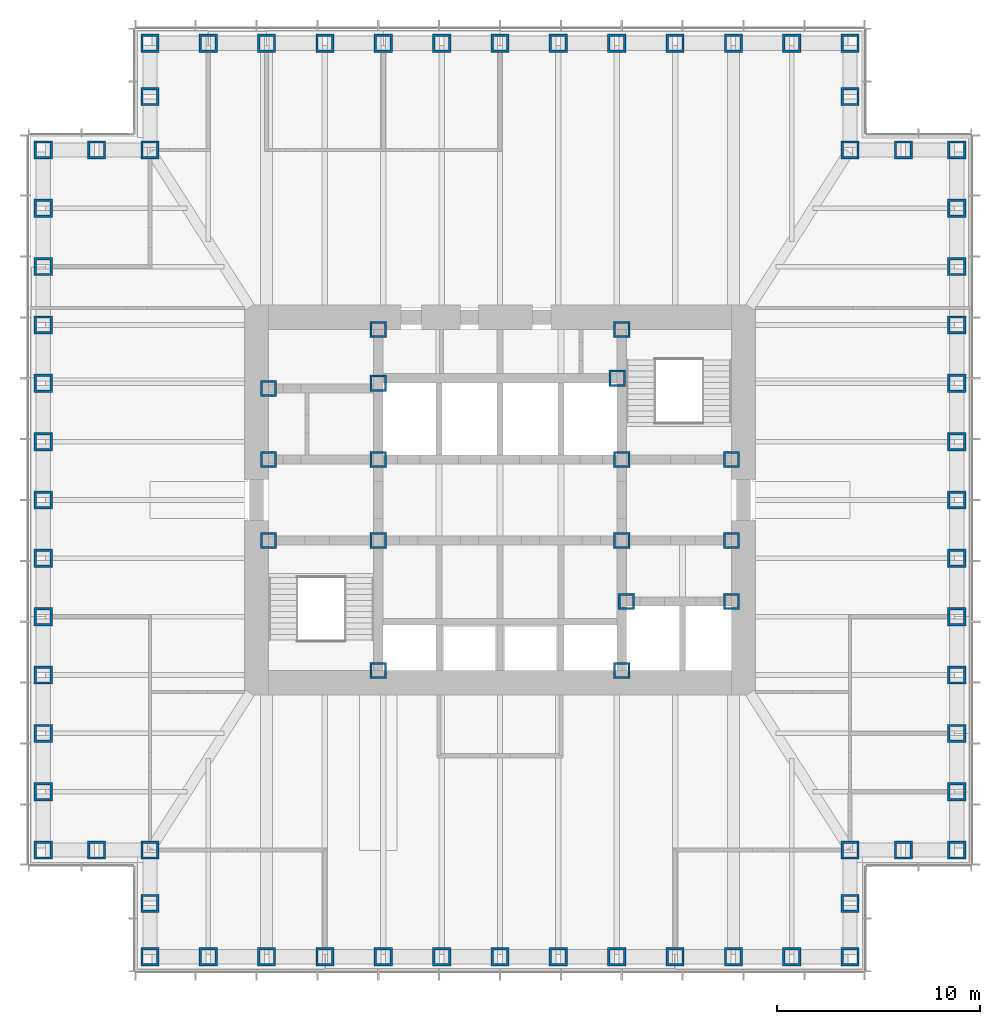
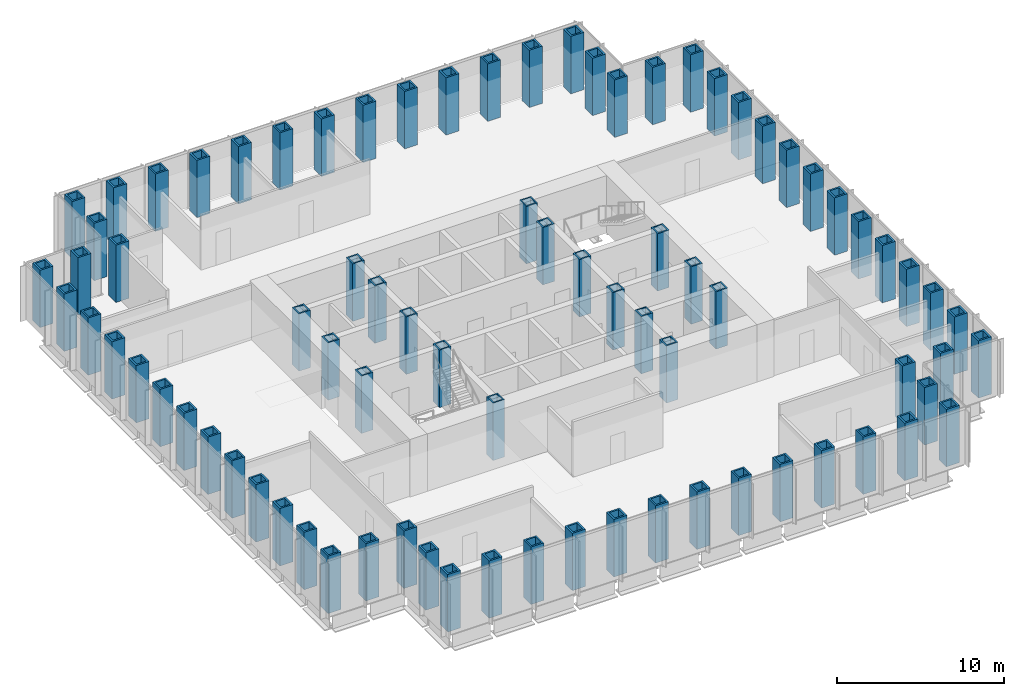
# One storey, part 1 of 16: 81 columns.
"""IFC4 building model written with IfcOpenShell, lengths in metres."""

from ifc_helpers import new_model, si_unit, direction, frame, origin, origin_2d, place, context, subcontext, project, spatial, hollow_rectangle, extrude, material, material_profile, profile_set, type_object, element, save


model = new_model("IFC4")

# Units and contexts
model_context = context("Model", 3, precision=1e-05, world=origin(), true_north=direction((0.0, 1.0)))
body_context = subcontext(model_context, "Body", "Model", "MODEL_VIEW")
ifc_project = project(units=[si_unit("LENGTHUNIT", "METRE"), si_unit("AREAUNIT", "SQUARE_METRE"), si_unit("VOLUMEUNIT", "CUBIC_METRE"), si_unit("PLANEANGLEUNIT", "RADIAN"), si_unit("MASSUNIT", "GRAM", prefix="KILO")], contexts=[model_context])

# Site, building, storey
site_placement = place(None, origin())
site = spatial("IfcSite", under=ifc_project, at=site_placement, CompositionType="ELEMENT")
building_placement = place(site_placement, origin())
building = spatial("IfcBuilding", under=site, at=building_placement, Name="Daluyong Arena Tower", CompositionType="ELEMENT")
storey_placement = place(building_placement, frame((0.0, 0.0, 141.699951171875)))
storey = spatial("IfcBuildingStorey", under=building, at=storey_placement, Name="L31", CompositionType="ELEMENT", Elevation=141.699951171875)

# Columns
ifc_material_1 = material(Name="Steel ASTM A572 Grade 50", Category="steel")
ifc_material_profile_1 = material_profile(ifc_material_1, hollow_rectangle(XDim=0.800048828125, YDim=0.800048828125, WallThickness=0.1, at=origin_2d()))
ifc_profile_set_1 = profile_set([ifc_material_profile_1], Name="Steel ASTM A572 Grade 50")
column_type_1 = type_object("IfcColumnType", Name="Core boundary column BX800X100", PredefinedType="COLUMN", material=ifc_profile_set_1)
for number, where, z_axis, x_axis, name in (
    (1, (44.60009765625, 78.0, 0.0), (0.0, 0.0, 1.0), (1.0, 0.0, 0.0), "core boundary column BC2"),
    (2, (44.60009765625, 82.0, 0.0), (0.0, 0.0, 1.0), (1.0, 0.0, 0.0), "core boundary column BC2"),
    (3, (44.60009765625, 85.5, 0.0), (0.0, 0.0, 1.0), (1.0, 0.0, 0.0), "core boundary column BC2"),
    (4, (50.0, 71.60009765625, 0.0), (0.0, 0.0, 1.0), (1.0, 0.0, 0.0), "core boundary column BC2"),
    (5, (50.0, 78.0, 0.0), (0.0, 0.0, 1.0), (1.0, 0.0, 0.0), "core boundary column BC2"),
    (6, (50.0, 82.0, 0.0), (0.0, 0.0, 1.0), (1.0, 0.0, 0.0), "core boundary column BC2"),
    (7, (50.0, 85.75, 0.0), (0.0, 0.0, 1.0), (1.0, 0.0, 0.0), "core boundary column BC2"),
    (8, (50.0, 88.39990234375, 0.0), (0.0, 0.0, 1.0), (1.0, 0.0, 0.0), "core boundary column BC2"),
    (9, (61.77490234375, 86.0, 0.0), (0.0, 0.0, 1.0), (1.0, 0.0, 0.0), "core boundary column BC2"),
    (10, (62.0, 71.60009765625, 0.0), (0.0, 0.0, 1.0), (1.0, 0.0, 0.0), "core boundary column BC2"),
    (11, (62.0, 78.0, 0.0), (0.0, 0.0, 1.0), (1.0, 0.0, 0.0), "core boundary column BC2"),
    (12, (62.0, 82.0, 0.0), (0.0, 0.0, 1.0), (1.0, 0.0, 0.0), "core boundary column BC2"),
    (13, (62.0, 88.39990234375, 0.0), (0.0, 0.0, 1.0), (1.0, 0.0, 0.0), "core boundary column BC2"),
    (14, (62.22509765625, 75.0, 0.0), (0.0, 0.0, 1.0), (1.0, 0.0, 0.0), "core boundary column BC2"),
    (15, (67.39990234375, 75.0, 0.0), (0.0, 0.0, 1.0), (1.0, 0.0, 0.0), "core boundary column BC2"),
    (16, (67.39990234375, 78.0, 0.0), (0.0, 0.0, 1.0), (1.0, 0.0, 0.0), "core boundary column BC2"),
    (17, (67.39990234375, 82.0, 0.0), (0.0, 0.0, 1.0), (1.0, 0.0, 0.0), "core boundary column BC2"),
):
    element("IfcColumn", number, at=place(storey_placement, frame(where, z_axis=z_axis, x_axis=x_axis)), inside=storey, type_object=column_type_1, Name=name, PredefinedType="COLUMN", context=body_context, shape_type="SweptSolid", body=[
        extrude(hollow_rectangle(XDim=0.800048828125, YDim=0.800048828125, WallThickness=0.1, at=origin_2d()), origin(), (0.0, 0.0, 1.0), 4.199951171875),
    ])
ifc_material_2 = material(Name="Steel ASTM A588 Grade 50", Category="steel")
ifc_material_profile_2 = material_profile(ifc_material_2, hollow_rectangle(XDim=0.89990234375, YDim=0.89990234375, WallThickness=0.12, at=origin_2d()))
ifc_profile_set_2 = profile_set([ifc_material_profile_2], Name="Steel ASTM A588 Grade 50")
column_type_2 = type_object("IfcColumnType", Name="Tube column BX900X120 BX900X120", PredefinedType="COLUMN", material=ifc_profile_set_2)
for number, where, z_axis, x_axis, name in (
    (18, (38.75, 57.5, 0.0), (0.0, 0.0, 1.0), (1.0, 0.0, 0.0), "tube column bx900x120 TC4"),
    (19, (41.625, 57.5, 0.0), (0.0, 0.0, 1.0), (1.0, 0.0, 0.0), "tube column bx900x120 TC4"),
    (20, (44.5, 57.5, 0.0), (0.0, 0.0, 1.0), (1.0, 0.0, 0.0), "tube column bx900x120 TC4"),
    (21, (47.375, 57.5, 0.0), (0.0, 0.0, 1.0), (1.0, 0.0, 0.0), "tube column bx900x120 TC4"),
    (22, (50.25, 57.5, 0.0), (0.0, 0.0, 1.0), (1.0, 0.0, 0.0), "tube column bx900x120 TC4"),
    (23, (53.125, 57.5, 0.0), (0.0, 0.0, 1.0), (1.0, 0.0, 0.0), "tube column bx900x120 TC4"),
    (24, (56.0, 57.5, 0.0), (0.0, 0.0, 1.0), (1.0, 0.0, 0.0), "tube column bx900x120 TC4"),
    (25, (58.875, 57.5, 0.0), (0.0, 0.0, 1.0), (1.0, 0.0, 0.0), "tube column bx900x120 TC4"),
    (26, (61.75, 57.5, 0.0), (0.0, 0.0, 1.0), (1.0, 0.0, 0.0), "tube column bx900x120 TC4"),
    (27, (64.625, 57.5, 0.0), (0.0, 0.0, 1.0), (1.0, 0.0, 0.0), "tube column bx900x120 TC4"),
    (28, (67.5, 57.5, 0.0), (0.0, 0.0, 1.0), (1.0, 0.0, 0.0), "tube column bx900x120 TC4"),
    (29, (70.375, 57.5, 0.0), (0.0, 0.0, 1.0), (1.0, 0.0, 0.0), "tube column bx900x120 TC4"),
    (30, (73.25, 57.5, 0.0), (0.0, 0.0, 1.0), (0.0, 1.0, 0.0), "tube column bx900x120 TC4"),
    (31, (73.25, 60.125, 0.0), (0.0, 0.0, 1.0), (0.0, 1.0, 0.0), "tube column bx900x120 TC4"),
    (32, (73.25, 62.75, 0.0), (0.0, 0.0, 1.0), (1.0, 0.0, 0.0), "tube column bx900x120 TC4"),
    (33, (75.875, 62.75, 0.0), (0.0, 0.0, 1.0), (1.0, 0.0, 0.0), "tube column bx900x120 TC4"),
    (34, (78.5, 62.75, 0.0), (0.0, 0.0, 1.0), (0.0, 1.0, 0.0), "tube column bx900x120 TC4"),
    (35, (78.5, 65.625, 0.0), (0.0, 0.0, 1.0), (0.0, 1.0, 0.0), "tube column bx900x120 TC4"),
    (36, (78.5, 68.5, 0.0), (0.0, 0.0, 1.0), (0.0, 1.0, 0.0), "tube column bx900x120 TC4"),
    (37, (78.5, 71.375, 0.0), (0.0, 0.0, 1.0), (0.0, 1.0, 0.0), "tube column bx900x120 TC4"),
    (38, (78.5, 74.25, 0.0), (0.0, 0.0, 1.0), (0.0, 1.0, 0.0), "tube column bx900x120 TC4"),
    (39, (78.5, 77.125, 0.0), (0.0, 0.0, 1.0), (0.0, 1.0, 0.0), "tube column bx900x120 TC4"),
    (40, (78.5, 80.0, 0.0), (0.0, 0.0, 1.0), (0.0, 1.0, 0.0), "tube column bx900x120 TC4"),
    (41, (78.5, 82.875, 0.0), (0.0, 0.0, 1.0), (0.0, 1.0, 0.0), "tube column bx900x120 TC4"),
    (42, (78.5, 85.75, 0.0), (0.0, 0.0, 1.0), (0.0, 1.0, 0.0), "tube column bx900x120 TC4"),
    (43, (78.5, 88.625, 0.0), (0.0, 0.0, 1.0), (0.0, 1.0, 0.0), "tube column bx900x120 TC4"),
    (44, (78.5, 91.5, 0.0), (0.0, 0.0, 1.0), (0.0, 1.0, 0.0), "tube column bx900x120 TC4"),
    (45, (78.5, 94.375, 0.0), (0.0, 0.0, 1.0), (0.0, 1.0, 0.0), "tube column bx900x120 TC4"),
    (46, (78.5, 97.25, 0.0), (0.0, 0.0, 1.0), (1.0, 0.0, 0.0), "tube column bx900x120 TC4"),
    (47, (75.875, 97.25, 0.0), (0.0, 0.0, 1.0), (1.0, 0.0, 0.0), "tube column bx900x120 TC4"),
    (48, (73.25, 97.25, 0.0), (0.0, 0.0, 1.0), (0.0, 1.0, 0.0), "tube column bx900x120 TC4"),
    (49, (73.25, 99.875, 0.0), (0.0, 0.0, 1.0), (0.0, 1.0, 0.0), "tube column bx900x120 TC4"),
    (50, (73.25, 102.5, 0.0), (0.0, 0.0, 1.0), (1.0, 0.0, 0.0), "tube column bx900x120 TC4"),
    (51, (70.375, 102.5, 0.0), (0.0, 0.0, 1.0), (1.0, 0.0, 0.0), "tube column bx900x120 TC4"),
    (52, (67.5, 102.5, 0.0), (0.0, 0.0, 1.0), (1.0, 0.0, 0.0), "tube column bx900x120 TC4"),
    (53, (64.625, 102.5, 0.0), (0.0, 0.0, 1.0), (1.0, 0.0, 0.0), "tube column bx900x120 TC4"),
    (54, (61.75, 102.5, 0.0), (0.0, 0.0, 1.0), (1.0, 0.0, 0.0), "tube column bx900x120 TC4"),
    (55, (58.875, 102.5, 0.0), (0.0, 0.0, 1.0), (1.0, 0.0, 0.0), "tube column bx900x120 TC4"),
    (56, (56.0, 102.5, 0.0), (0.0, 0.0, 1.0), (1.0, 0.0, 0.0), "tube column bx900x120 TC4"),
    (57, (53.125, 102.5, 0.0), (0.0, 0.0, 1.0), (1.0, 0.0, 0.0), "tube column bx900x120 TC4"),
    (58, (50.25, 102.5, 0.0), (0.0, 0.0, 1.0), (1.0, 0.0, 0.0), "tube column bx900x120 TC4"),
    (59, (47.375, 102.5, 0.0), (0.0, 0.0, 1.0), (1.0, 0.0, 0.0), "tube column bx900x120 TC4"),
    (60, (44.5, 102.5, 0.0), (0.0, 0.0, 1.0), (1.0, 0.0, 0.0), "tube column bx900x120 TC4"),
    (61, (41.625, 102.5, 0.0), (0.0, 0.0, 1.0), (1.0, 0.0, 0.0), "tube column bx900x120 TC4"),
    (62, (38.75, 102.5, 0.0), (0.0, 0.0, 1.0), (0.0, 1.0, 0.0), "tube column bx900x120 TC4"),
    (63, (38.75, 99.875, 0.0), (0.0, 0.0, 1.0), (0.0, 1.0, 0.0), "tube column bx900x120 TC4"),
    (64, (38.75, 97.25, 0.0), (0.0, 0.0, 1.0), (1.0, 0.0, 0.0), "tube column bx900x120 TC4"),
    (65, (36.125, 97.25, 0.0), (0.0, 0.0, 1.0), (1.0, 0.0, 0.0), "tube column bx900x120 TC4"),
    (66, (33.5, 97.25, 0.0), (0.0, 0.0, 1.0), (0.0, 1.0, 0.0), "tube column bx900x120 TC4"),
    (67, (33.5, 94.375, 0.0), (0.0, 0.0, 1.0), (0.0, 1.0, 0.0), "tube column bx900x120 TC4"),
    (68, (33.5, 91.5, 0.0), (0.0, 0.0, 1.0), (0.0, 1.0, 0.0), "tube column bx900x120 TC4"),
    (69, (33.5, 88.625, 0.0), (0.0, 0.0, 1.0), (0.0, 1.0, 0.0), "tube column bx900x120 TC4"),
    (70, (33.5, 85.75, 0.0), (0.0, 0.0, 1.0), (0.0, 1.0, 0.0), "tube column bx900x120 TC4"),
    (71, (33.5, 82.875, 0.0), (0.0, 0.0, 1.0), (0.0, 1.0, 0.0), "tube column bx900x120 TC4"),
    (72, (33.5, 80.0, 0.0), (0.0, 0.0, 1.0), (0.0, 1.0, 0.0), "tube column bx900x120 TC4"),
    (73, (33.5, 77.125, 0.0), (0.0, 0.0, 1.0), (0.0, 1.0, 0.0), "tube column bx900x120 TC4"),
    (74, (33.5, 74.25, 0.0), (0.0, 0.0, 1.0), (0.0, 1.0, 0.0), "tube column bx900x120 TC4"),
    (75, (33.5, 71.375, 0.0), (0.0, 0.0, 1.0), (0.0, 1.0, 0.0), "tube column bx900x120 TC4"),
    (76, (33.5, 68.5, 0.0), (0.0, 0.0, 1.0), (0.0, 1.0, 0.0), "tube column bx900x120 TC4"),
    (77, (33.5, 65.625, 0.0), (0.0, 0.0, 1.0), (0.0, 1.0, 0.0), "tube column bx900x120 TC4"),
    (78, (33.5, 62.75, 0.0), (0.0, 0.0, 1.0), (1.0, 0.0, 0.0), "tube column bx900x120 TC4"),
    (79, (36.125, 62.75, 0.0), (0.0, 0.0, 1.0), (1.0, 0.0, 0.0), "tube column bx900x120 TC4"),
    (80, (38.75, 62.75, 0.0), (0.0, 0.0, 1.0), (0.0, 1.0, 0.0), "tube column bx900x120 TC4"),
    (81, (38.75, 60.125, 0.0), (0.0, 0.0, 1.0), (0.0, 1.0, 0.0), "tube column bx900x120 TC4"),
):
    element("IfcColumn", number, at=place(storey_placement, frame(where, z_axis=z_axis, x_axis=x_axis)), inside=storey, type_object=column_type_2, Name=name, PredefinedType="COLUMN", context=body_context, shape_type="SweptSolid", body=[
        extrude(hollow_rectangle(XDim=0.89990234375, YDim=0.89990234375, WallThickness=0.12, at=origin_2d()), origin(), (0.0, 0.0, 1.0), 4.199951171875),
    ])

save(model, "model.ifc")
